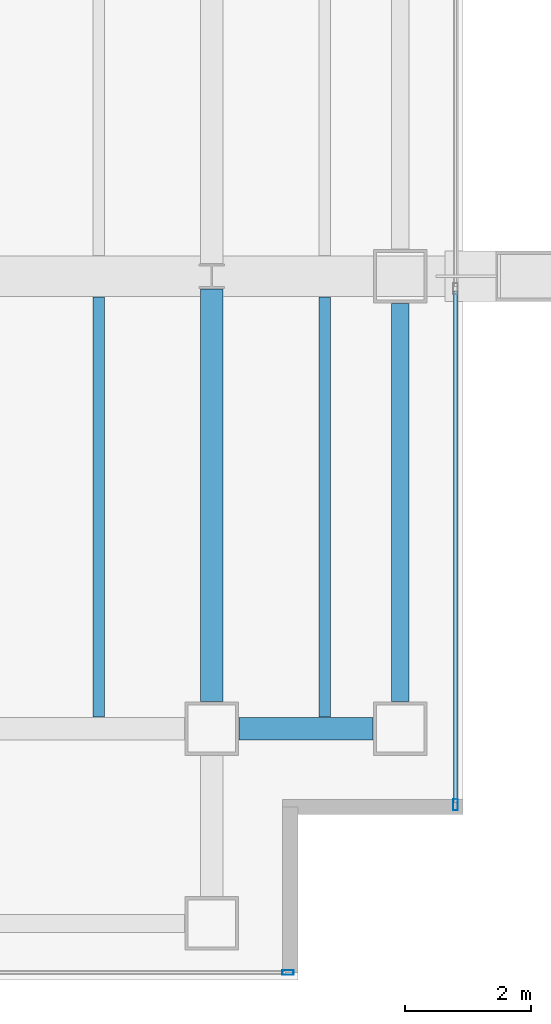
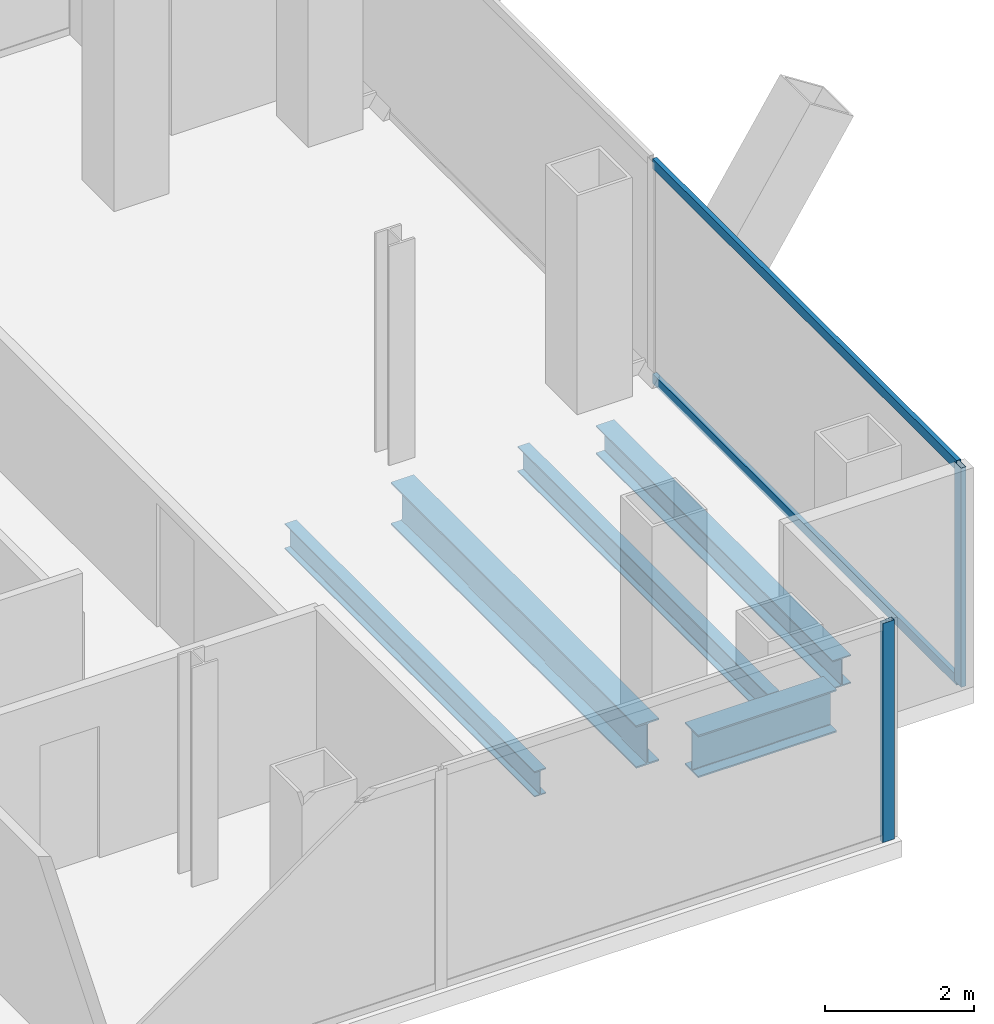
# One storey, part 11 of 23: 5 beams, 4 members, 2 elements without a shape of their own.
"""IFC4 building model written with IfcOpenShell, lengths in metres."""

from ifc_helpers import new_model, si_unit, direction, frame, origin, origin_2d, place, context, subcontext, project, spatial, hollow_rectangle, i_section, extrude, material, material_profile, profile_set, type_object, element, aggregate, save


model = new_model("IFC4")

# Units and contexts
model_context = context("Model", 3, precision=1e-05, world=origin(), true_north=direction((0.0, 1.0)))
body_context = subcontext(model_context, "Body", "Model", "MODEL_VIEW")
ifc_project = project(units=[si_unit("LENGTHUNIT", "METRE"), si_unit("AREAUNIT", "SQUARE_METRE"), si_unit("VOLUMEUNIT", "CUBIC_METRE"), si_unit("PLANEANGLEUNIT", "RADIAN"), si_unit("MASSUNIT", "GRAM", prefix="KILO")], contexts=[model_context])

# Site, building, storey
site_placement = place(None, origin())
site = spatial("IfcSite", under=ifc_project, at=site_placement, CompositionType="ELEMENT")
building_placement = place(site_placement, origin())
building = spatial("IfcBuilding", under=site, at=building_placement, Name="Cobrela Telecom Tower", CompositionType="ELEMENT")
storey_placement = place(building_placement, frame((0.0, 0.0, 156.10009765625)))
storey = spatial("IfcBuildingStorey", under=building, at=storey_placement, Name="L39", CompositionType="ELEMENT", Elevation=156.10009765625)

# Beams
ifc_material_1 = material(Name="Steel ASTM A992 Grade 50", Category="steel")
ifc_material_profile_1 = material_profile(ifc_material_1, i_section(OverallWidth=0.35595703125, OverallDepth=0.696044921875, WebThickness=0.015380859375, FlangeThickness=0.024658203125, FilletRadius=0.01806640625, at=origin_2d()), Name="W27X146")
ifc_profile_set_1 = profile_set([ifc_material_profile_1], Name="Steel ASTM A992 Grade 50")
beam_type_1 = type_object("IfcBeamType", Name="BM-GIRD-05", PredefinedType="USERDEFINED", material=ifc_profile_set_1)
beam_1_placement = place(storey_placement, frame((43.6298828125, 7.199951171875, -0.6181640625), z_axis=(1.0, 0.0, 0.0), x_axis=(0.0, 1.0, 0.0)))
element("IfcBeam", 1, at=beam_1_placement, inside=storey, type_object=beam_type_1, Name="L39 Primary Girder X12", ObjectType="GIRDER", PredefinedType="USERDEFINED", context=body_context, shape_type="SweptSolid", body=[
    extrude(i_section(OverallWidth=0.35595703125, OverallDepth=0.696044921875, WebThickness=0.015380859375, FlangeThickness=0.024658203125, FilletRadius=0.01806640625, at=origin_2d()), origin(), (0.0, 0.0, 1.0), 2.14013671875),
])
beam_2_placement = place(storey_placement, frame((43.199951171875, 7.6298828125, -0.6181640625), z_axis=(0.0, 1.0, 0.0), x_axis=(-1.0, 0.0, 0.0)))
element("IfcBeam", 2, at=beam_2_placement, inside=storey, type_object=beam_type_1, Name="L39 Primary Girder Y49", ObjectType="GIRDER", PredefinedType="USERDEFINED", context=body_context, shape_type="SweptSolid", body=[
    extrude(i_section(OverallWidth=0.35595703125, OverallDepth=0.696044921875, WebThickness=0.015380859375, FlangeThickness=0.024658203125, FilletRadius=0.01806640625, at=origin_2d()), origin(), (0.0, 0.0, 1.0), 6.565673828125),
])
ifc_material_profile_2 = material_profile(ifc_material_1, i_section(OverallWidth=0.179931640625, OverallDepth=0.4169921875, WebThickness=0.010986328125, FlangeThickness=0.01806640625, FilletRadius=0.011962890625, at=origin_2d()), Name="W16X57")
ifc_profile_set_2 = profile_set([ifc_material_profile_2], Name="Steel ASTM A992 Grade 50")
beam_type_2 = type_object("IfcBeamType", Name="BM-JOIST-04", PredefinedType="JOIST", material=ifc_profile_set_2)
for number, where, z_axis, x_axis, name in (
    (3, (41.39990234375, 7.383056640625, -0.478515625), (0.0, 1.0, 0.0), (-1.0, 0.0, 0.0), "L39 Secondary Composite Floor Beam J37"),
    (4, (45.0, 7.383056640625, -0.478515625), (0.0, 1.0, 0.0), (-1.0, 0.0, 0.0), "L39 Secondary Composite Floor Beam J39"),
):
    element("IfcBeam", number, at=place(storey_placement, frame(where, z_axis=z_axis, x_axis=x_axis)), inside=storey, type_object=beam_type_2, Name=name, PredefinedType="JOIST", context=body_context, shape_type="SweptSolid", body=[
        extrude(i_section(OverallWidth=0.179931640625, OverallDepth=0.4169921875, WebThickness=0.010986328125, FlangeThickness=0.01806640625, FilletRadius=0.011962890625, at=origin_2d()), origin(), (0.0, 0.0, 1.0), 6.68701171875),
    ])
ifc_material_profile_3 = material_profile(ifc_material_1, i_section(OverallWidth=0.281982421875, OverallDepth=0.467041015625, WebThickness=0.01220703125, FlangeThickness=0.01953125, FilletRadius=0.012939453125, at=origin_2d()), Name="W18X86")
ifc_profile_set_3 = profile_set([ifc_material_profile_3], Name="Steel ASTM A992 Grade 50")
beam_type_3 = type_object("IfcBeamType", Name="BM-SPAND-04", PredefinedType="SPANDREL", material=ifc_profile_set_3)
beam_3_placement = place(storey_placement, frame((46.199951171875, 7.6298828125, -0.503662109375), z_axis=(0.0, 1.0, 0.0), x_axis=(-1.0, 0.0, 0.0)))
element("IfcBeam", 5, at=beam_3_placement, inside=storey, type_object=beam_type_3, Name="L39 Perimeter Spandrel Y51", PredefinedType="SPANDREL", context=body_context, shape_type="SweptSolid", body=[
    extrude(i_section(OverallWidth=0.281982421875, OverallDepth=0.467041015625, WebThickness=0.01220703125, FlangeThickness=0.01953125, FilletRadius=0.012939453125, at=origin_2d()), origin(), (0.0, 0.0, 1.0), 6.340087890625),
])

# Curtain wall, member
ifc_material_2 = material(Name="Anodized Bronze Aluminium 6063-T6", Category="aluminium")
curtain_wall_type = type_object("IfcCurtainWallType", Name="CW-SYS-TEL", PredefinedType="USERDEFINED", material=ifc_material_2)
curtain_wall_1_placement = place(storey_placement, origin())
curtain_wall_1 = element("IfcCurtainWall", 6, at=curtain_wall_1_placement, inside=storey, type_object=curtain_wall_type, Name="L39 Unitised Bronze Curtain Wall 14", ObjectType="UNITISED CURTAIN WALL", PredefinedType="USERDEFINED")
ifc_material_profile_4 = material_profile(ifc_material_2, hollow_rectangle(XDim=0.074951171875, YDim=0.179931640625, WallThickness=0.00390625, at=origin_2d()), Name="ALU 75x180x4")
ifc_profile_set_4 = profile_set([ifc_material_profile_4], Name="Anodized Bronze Aluminium 6063-T6")
member_type_1 = type_object("IfcMemberType", Name="CW-SYS-TEL-MUL", PredefinedType="MULLION", material=ifc_profile_set_4)
member_1_placement = place(storey_placement, frame((47.080078125, 5.987548828125, 0.0), z_axis=(0.0, 0.0, 1.0), x_axis=(1.0, 0.0, 0.0)))
member_1 = element("IfcMember", 7, at=member_1_placement, type_object=member_type_1, Name="CW-TEL mullion 3", PredefinedType="MULLION", context=body_context, shape_type="SweptSolid", body=[
    extrude(hollow_rectangle(XDim=0.074951171875, YDim=0.179931640625, WallThickness=0.00390625, at=origin_2d()), origin(), (0.0, 0.0, 1.0), 3.579833984375),
])

curtain_wall_2_placement = place(storey_placement, origin())
curtain_wall_2 = element("IfcCurtainWall", 8, at=curtain_wall_2_placement, inside=storey, type_object=curtain_wall_type, Name="L39 Unitised Bronze Curtain Wall 17", ObjectType="UNITISED CURTAIN WALL", PredefinedType="USERDEFINED")
member_2_placement = place(storey_placement, frame((44.41259765625, 3.320068359375, 0.0), z_axis=(0.0, 0.0, 1.0), x_axis=(0.0, -1.0, 0.0)))
member_2 = element("IfcMember", 9, at=member_2_placement, type_object=member_type_1, Name="CW-TEL mullion 1", PredefinedType="MULLION", context=body_context, shape_type="SweptSolid", body=[
    extrude(hollow_rectangle(XDim=0.074951171875, YDim=0.179931640625, WallThickness=0.00390625, at=origin_2d()), origin(), (0.0, 0.0, 1.0), 3.579833984375),
])
aggregate(curtain_wall_2, [member_2])

# Member
ifc_material_profile_5 = material_profile(ifc_material_2, hollow_rectangle(XDim=0.070068359375, YDim=0.159912109375, WallThickness=0.00390625, at=origin_2d()), Name="ALU 70x160x4")
ifc_profile_set_5 = profile_set([ifc_material_profile_5], Name="Anodized Bronze Aluminium 6063-T6")
member_type_2 = type_object("IfcMemberType", Name="CW-SYS-TEL-TRN", PredefinedType="USERDEFINED", material=ifc_profile_set_5)
member_3_placement = place(storey_placement, frame((47.080078125, 14.16259765625, 0.034912109375), z_axis=(0.0, -1.0, 0.0), x_axis=(1.0, 0.0, 0.0)))
member_3 = element("IfcMember", 10, at=member_3_placement, type_object=member_type_2, Name="CW-TEL transom 2.1", ObjectType="TRANSOM", PredefinedType="USERDEFINED", context=body_context, shape_type="SweptSolid", body=[
    extrude(hollow_rectangle(XDim=0.070068359375, YDim=0.159912109375, WallThickness=0.00390625, at=origin_2d()), origin(), (0.0, 0.0, 1.0), 8.1376953125),
])

member_4_placement = place(storey_placement, frame((47.080078125, 14.16259765625, 3.544921875), z_axis=(0.0, -1.0, 0.0), x_axis=(1.0, 0.0, 0.0)))
member_4 = element("IfcMember", 11, at=member_4_placement, type_object=member_type_2, Name="CW-TEL transom 2.2", ObjectType="TRANSOM", PredefinedType="USERDEFINED", context=body_context, shape_type="SweptSolid", body=[
    extrude(hollow_rectangle(XDim=0.070068359375, YDim=0.159912109375, WallThickness=0.00390625, at=origin_2d()), origin(), (0.0, 0.0, 1.0), 8.1376953125),
])

aggregate(curtain_wall_1, [member_1, member_3, member_4])

save(model, "model.ifc")
